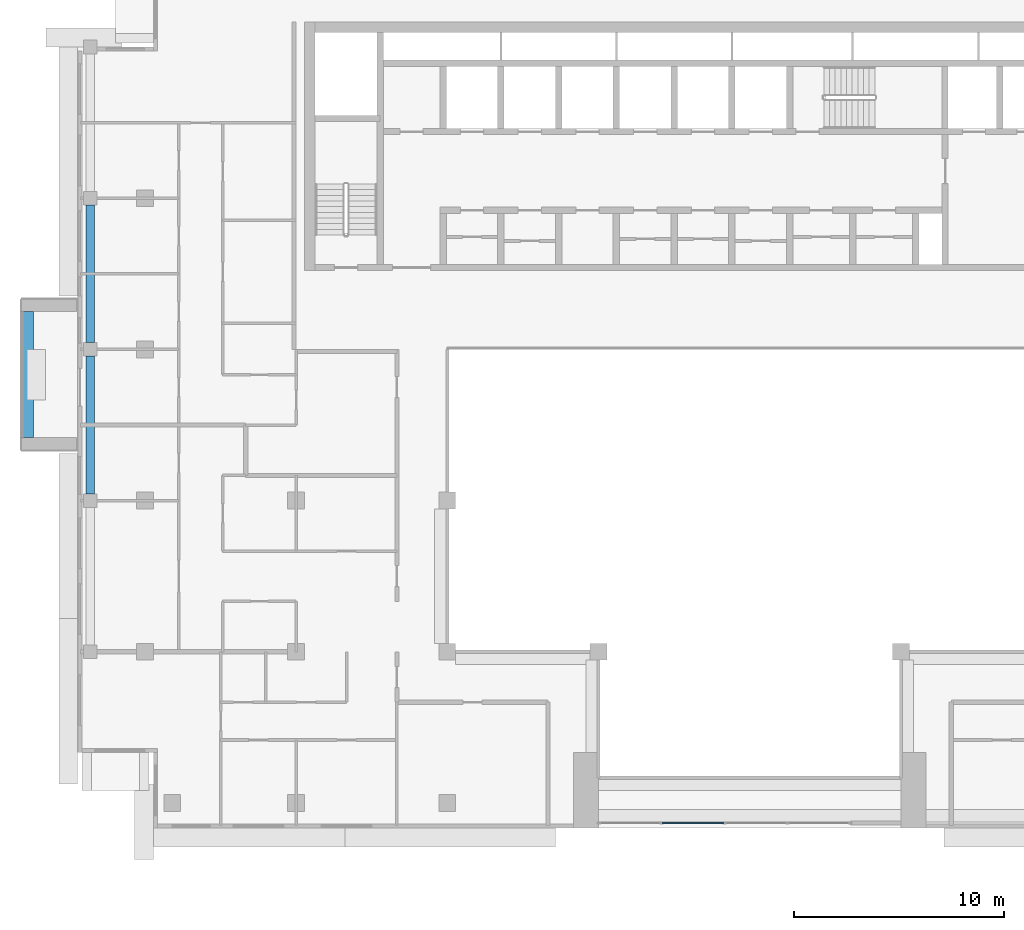
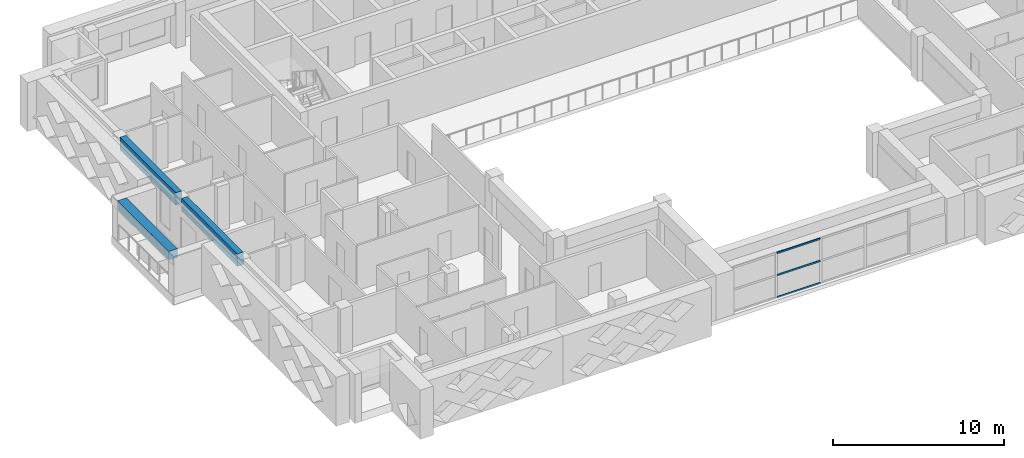
# One storey, part 3 of 19: 3 beams, 3 members, 1 element without a shape of its own.
"""IFC4 building model written with IfcOpenShell, lengths in metres."""

from ifc_helpers import new_model, si_unit, direction, frame, origin, origin_2d, place, context, subcontext, project, spatial, rectangle, extrude, source, transform, mapped, material, layer, layer_set, material_profile, profile_set, type_object, element, aggregate, save


model = new_model("IFC4")

# Units and contexts
model_context = context("Model", 3, precision=1e-05, world=origin(), true_north=direction((0.0, 1.0)))
body_context = subcontext(model_context, "Body", "Model", "MODEL_VIEW")
ifc_project = project(units=[si_unit("LENGTHUNIT", "METRE"), si_unit("AREAUNIT", "SQUARE_METRE"), si_unit("VOLUMEUNIT", "CUBIC_METRE"), si_unit("PLANEANGLEUNIT", "RADIAN"), si_unit("MASSUNIT", "GRAM", prefix="KILO")], contexts=[model_context])

# Site, building, storey
site_placement = place(None, origin())
site = spatial("IfcSite", under=ifc_project, at=site_placement, CompositionType="ELEMENT")
building_placement = place(site_placement, origin())
building = spatial("IfcBuilding", under=site, at=building_placement, Name="Saffron Iwan Residences", CompositionType="ELEMENT")
storey_placement = place(building_placement, frame((0.0, 0.0, 232.5)))
storey = spatial("IfcBuildingStorey", under=building, at=storey_placement, Name="L62", CompositionType="ELEMENT", Elevation=232.5)

# Beams
ifc_material_1 = material(Name="Concrete C40/50", Category="concrete")
ifc_material_profile_1 = material_profile(ifc_material_1, rectangle(XDim=0.39990234375, YDim=0.89990234375, at=origin_2d()), Name="RC 400x900")
ifc_profile_set_1 = profile_set([ifc_material_profile_1], Name="Concrete C40/50")
beam_type_1 = type_object("IfcBeamType", Name="SPANDREL BEAM RC 400x900 C40/50 TOP 3220", PredefinedType="SPANDREL", material=ifc_profile_set_1)
shared_shape_1 = source(origin(), body_context, "Body", "SweptSolid", [
    extrude(rectangle(XDim=0.39990234375, YDim=0.89990234375, at=origin_2d()), origin(), (0.0, 0.0, 1.0), 6.550048828125),
])
beam_1_placement = place(storey_placement, frame((19.0, 55.52490234375, 2.77001953125), z_axis=(0.0, 1.0, 0.0), x_axis=(-1.0, 0.0, 0.0)))
element("IfcBeam", 1, at=beam_1_placement, inside=storey, type_object=beam_type_1, Name="Spandrel beam", PredefinedType="SPANDREL", context=body_context, shape_type="MappedRepresentation", body=[
    mapped(shared_shape_1, transform((0.0, 0.0, 0.0))),
])
shared_shape_2 = source(origin(), body_context, "Body", "SweptSolid", [
    extrude(rectangle(XDim=0.39990234375, YDim=0.89990234375, at=origin_2d()), origin(), (0.0, 0.0, 1.0), 6.5498046875),
])
beam_2_placement = place(storey_placement, frame((19.0, 62.72509765625, 2.77001953125), z_axis=(0.0, 1.0, 0.0), x_axis=(-1.0, 0.0, 0.0)))
element("IfcBeam", 2, at=beam_2_placement, inside=storey, type_object=beam_type_1, Name="Spandrel beam", PredefinedType="SPANDREL", context=body_context, shape_type="MappedRepresentation", body=[
    mapped(shared_shape_2, transform((0.0, 0.0, 0.0))),
])

# Curtain wall, members
ifc_material_2 = material(Name="Clear glass, laminated double glazed", Category="glass")
ifc_layer = layer(ifc_material_2, 0.199951171875)
ifc_layer_set = layer_set([ifc_layer], Name="Clear glass, laminated double glazed")
curtain_wall_type = type_object("IfcCurtainWallType", Name="CW-B IWAN PORTAL", PredefinedType="NOTDEFINED", material=ifc_layer_set)
curtain_wall_placement = place(storey_placement, origin())
curtain_wall = element("IfcCurtainWall", 3, at=curtain_wall_placement, inside=storey, type_object=curtain_wall_type, Name="Iwan portal glazing L62.1", PredefinedType="NOTDEFINED")
ifc_material_3 = material(Name="Aluminium 6063-T6", Category="aluminium")
ifc_material_profile_2 = material_profile(ifc_material_3, rectangle(XDim=0.06005859375, YDim=0.1201171875, at=origin_2d()), Name="CW-B TRANSOM 60 x 120")
ifc_profile_set_2 = profile_set([ifc_material_profile_2], Name="Aluminium 6063-T6")
member_type = type_object("IfcMemberType", Name="CW-B TRANSOM 60 x 120", PredefinedType="USERDEFINED", material=ifc_profile_set_2)
shared_shape_3 = source(origin(), body_context, "Body", "SweptSolid", [
    extrude(rectangle(XDim=0.06005859375, YDim=0.1201171875, at=origin_2d()), origin(), (0.0, 0.0, 1.0), 2.93994140625),
])
member_1_placement = place(storey_placement, frame((46.22998046875, 39.85009765625, 0.030029296875), z_axis=(1.0, 0.0, 0.0), x_axis=(0.0, 1.0, 0.0)))
member_1 = element("IfcMember", 4, at=member_1_placement, type_object=member_type, Name="CW-B transom 2.1", ObjectType="TRANSOM", PredefinedType="USERDEFINED", context=body_context, shape_type="MappedRepresentation", body=[
    mapped(shared_shape_3, transform((0.0, 0.0, 0.0))),
])
member_2_placement = place(storey_placement, frame((46.22998046875, 39.85009765625, 1.610107421875), z_axis=(1.0, 0.0, 0.0), x_axis=(0.0, 1.0, 0.0)))
member_2 = element("IfcMember", 5, at=member_2_placement, type_object=member_type, Name="CW-B transom 2.2", ObjectType="TRANSOM", PredefinedType="USERDEFINED", context=body_context, shape_type="MappedRepresentation", body=[
    mapped(shared_shape_3, transform((0.0, 0.0, 0.0))),
])
member_3_placement = place(storey_placement, frame((46.22998046875, 39.85009765625, 3.18994140625), z_axis=(1.0, 0.0, 0.0), x_axis=(0.0, 1.0, 0.0)))
member_3 = element("IfcMember", 6, at=member_3_placement, type_object=member_type, Name="CW-B transom 2.3", ObjectType="TRANSOM", PredefinedType="USERDEFINED", context=body_context, shape_type="MappedRepresentation", body=[
    mapped(shared_shape_3, transform((0.0, 0.0, 0.0))),
])
aggregate(curtain_wall, [member_1, member_2, member_3])

# Beam
ifc_material_4 = material(Name="Concrete C50/60 white painted", Category="concrete")
ifc_material_profile_3 = material_profile(ifc_material_4, rectangle(XDim=0.60009765625, YDim=0.60009765625, at=origin_2d()), Name="BALCONY FASCIA BEAM 600 x 600")
ifc_profile_set_3 = profile_set([ifc_material_profile_3], Name="Concrete C50/60 white painted")
beam_type_2 = type_object("IfcBeamType", Name="BALCONY FASCIA BEAM 600 x 600", PredefinedType="BEAM", material=ifc_profile_set_3)
shared_shape_4 = source(origin(), body_context, "Body", "SweptSolid", [
    extrude(rectangle(XDim=0.60009765625, YDim=0.60009765625, at=origin_2d()), origin(), (0.0, 0.0, 1.0), 6.0),
])
beam_3_placement = place(storey_placement, frame((16.0, 64.199951171875, 2.550048828125), z_axis=(0.0, -1.0, 0.0), x_axis=(1.0, 0.0, 0.0)))
element("IfcBeam", 7, at=beam_3_placement, inside=storey, type_object=beam_type_2, Name="Balcony fascia beam L62 F8-0", PredefinedType="BEAM", context=body_context, shape_type="MappedRepresentation", body=[
    mapped(shared_shape_4, transform((0.0, 0.0, 0.0))),
])

save(model, "model.ifc")
